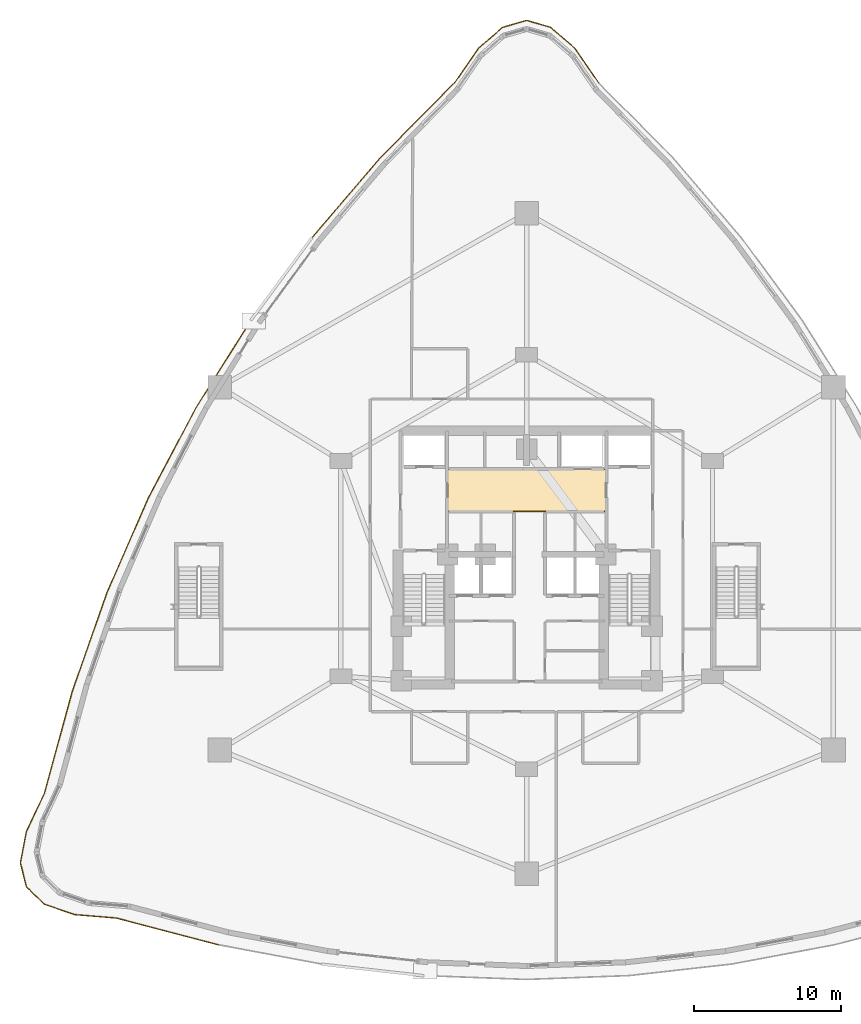
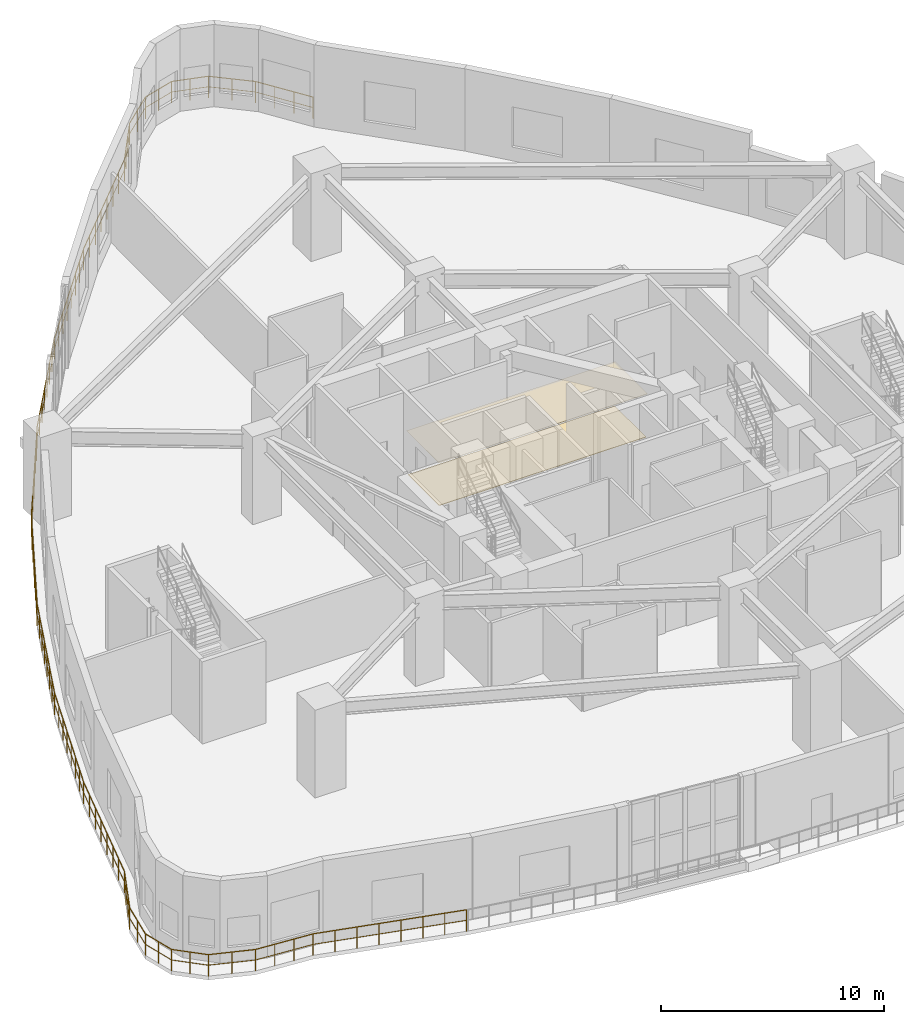
# One storey, part 23 of 23: 2 coverings, 1 railing.
"""IFC4 building model written with IfcOpenShell, lengths in metres."""

from ifc_helpers import new_model, si_unit, direction, frame, origin, origin_2d, place, context, subcontext, project, spatial, polyline, circle, outline, extrude, material, layer, layer_set, type_object, element, save


model = new_model("IFC4")

# Units and contexts
model_context = context("Model", 3, precision=1e-05, world=origin(), true_north=direction((0.0, 1.0)))
body_context = subcontext(model_context, "Body", "Model", "MODEL_VIEW")
ifc_project = project(units=[si_unit("LENGTHUNIT", "METRE"), si_unit("AREAUNIT", "SQUARE_METRE"), si_unit("VOLUMEUNIT", "CUBIC_METRE"), si_unit("PLANEANGLEUNIT", "RADIAN"), si_unit("MASSUNIT", "GRAM", prefix="KILO")], contexts=[model_context])

# Site, building, storey
site_placement = place(None, origin())
site = spatial("IfcSite", under=ifc_project, at=site_placement, CompositionType="ELEMENT")
building_placement = place(site_placement, origin())
building = spatial("IfcBuilding", under=site, at=building_placement, Name="Miruveldt Soraemaru", CompositionType="ELEMENT")
storey_placement = place(building_placement, frame((0.0, 0.0, 14.39990234375)))
storey = spatial("IfcBuildingStorey", under=building, at=storey_placement, Name="L04", CompositionType="ELEMENT", Elevation=14.39990234375)

# Coverings
ifc_material_1 = material(Name="Gypsum plasterboard lining", Category="gypsum")
ifc_layer_1 = layer(ifc_material_1, 0.02001953125, Name="Gypsum plasterboard lining", Category="gypsum")
ifc_layer_set_1 = layer_set([ifc_layer_1], Name="Gypsum plasterboard lining")
covering_type_1 = type_object("IfcCoveringType", Name="COV-CEIL-AC", PredefinedType="CEILING", material=ifc_layer_set_1)
covering_1_placement = place(storey_placement, frame((0.0, 0.0, 2.380126953125)))
element("IfcCovering", 1, at=covering_1_placement, inside=storey, type_object=covering_type_1, Name="L04 Lift Lobby Acoustic Ceiling", PredefinedType="CEILING", context=body_context, shape_type="SweptSolid", body=[
    extrude(outline(polyline([(38.60009765625, 46.949951171875), (49.39990234375, 46.949951171875), (49.39990234375, 49.85009765625), (38.60009765625, 49.85009765625), (38.60009765625, 46.949951171875)])), origin(), (0.0, 0.0, 1.0), 0.02001953125),
])
ifc_material_2 = material(Name="Precast concrete C45/55 (45 MPa)", Category="concrete")
ifc_layer_2 = layer(ifc_material_2, 0.02490234375, Name="Precast concrete C45/55 (45 MPa)", Category="concrete")
ifc_layer_set_2 = layer_set([ifc_layer_2], Name="Precast concrete C45/55 (45 MPa)")
covering_type_2 = type_object("IfcCoveringType", Name="COV-FLOR-ST", PredefinedType="FLOORING", material=ifc_layer_set_2)
covering_2_placement = place(storey_placement, origin())
element("IfcCovering", 2, at=covering_2_placement, inside=storey, type_object=covering_type_2, Name="L04 Lift Lobby Stone Flooring", PredefinedType="FLOORING", context=body_context, shape_type="SweptSolid", body=[
    extrude(outline(polyline([(38.64990234375, 47.0), (49.35009765625, 47.0), (49.35009765625, 49.800048828125), (38.64990234375, 49.800048828125), (38.64990234375, 47.0)])), origin(), (0.0, 0.0, 1.0), 0.025146484375),
])

# Railing
ifc_material_3 = material(Name="Anodised aluminium EN AW-6063 T6", Category="aluminium")
railing_type = type_object("IfcRailingType", Name="RAIL-GUARD-1200", PredefinedType="GUARDRAIL", material=ifc_material_3)
railing_placement = place(storey_placement, frame((48.885986328125, 76.037109375, 0.0)))
element("IfcRailing", 3, at=railing_placement, inside=storey, type_object=railing_type, Name="L04 Planted Terrace Perimeter Guardrail (A)", PredefinedType="GUARDRAIL", context=body_context, shape_type="SweptSolid", body=[
    extrude(circle(Radius=0.02392578125, at=origin_2d()), frame((0.0, 0.0, 1.17578125), z_axis=(-0.569525135144, 0.821973917128, 0.0), x_axis=(-0.821973917128, -0.569525135144, 0.0)), (0.0, 0.0, 1.0), 2.859619140625),
    extrude(circle(Radius=0.01611328125, at=origin_2d()), frame((0.0, 0.0, 0.60009765625), z_axis=(-0.569525135144, 0.821973917128, 0.0), x_axis=(-0.821973917128, -0.569525135144, 0.0)), (0.0, 0.0, 1.0), 2.859619140625),
    extrude(circle(Radius=0.02392578125, at=origin_2d()), frame((-1.628662109375, 2.3505859375, 1.17578125), z_axis=(-0.75588719591, 0.654701876475, 0.0), x_axis=(-0.654701876475, -0.75588719591, 0.0)), (0.0, 0.0, 1.0), 2.154541015625),
    extrude(circle(Radius=0.01611328125, at=origin_2d()), frame((-1.628662109375, 2.3505859375, 0.60009765625), z_axis=(-0.75588719591, 0.654701876475, 0.0), x_axis=(-0.654701876475, -0.75588719591, 0.0)), (0.0, 0.0, 1.0), 2.154541015625),
    extrude(circle(Radius=0.02392578125, at=origin_2d()), frame((-3.25732421875, 3.76123046875, 1.17578125), z_axis=(-0.960759397972, 0.277383091065, 0.0), x_axis=(-0.277383091065, -0.960759397972, 0.0)), (0.0, 0.0, 1.0), 1.695068359375),
    extrude(circle(Radius=0.01611328125, at=origin_2d()), frame((-3.25732421875, 3.76123046875, 0.60009765625), z_axis=(-0.960759397972, 0.277383091065, 0.0), x_axis=(-0.277383091065, -0.960759397972, 0.0)), (0.0, 0.0, 1.0), 1.695068359375),
    extrude(circle(Radius=0.02392578125, at=origin_2d()), frame((-4.885986328125, 4.2314453125, 1.17578125), z_axis=(-0.960759397972, -0.277383091065, 0.0), x_axis=(0.277383091065, -0.960759397972, 0.0)), (0.0, 0.0, 1.0), 1.695068359375),
    extrude(circle(Radius=0.01611328125, at=origin_2d()), frame((-4.885986328125, 4.2314453125, 0.60009765625), z_axis=(-0.960759397972, -0.277383091065, 0.0), x_axis=(0.277383091065, -0.960759397972, 0.0)), (0.0, 0.0, 1.0), 1.695068359375),
    extrude(circle(Radius=0.02392578125, at=origin_2d()), frame((-6.5146484375, 3.76123046875, 1.17578125), z_axis=(-0.75588719591, -0.654701876475, 0.0), x_axis=(0.654701876475, -0.75588719591, 0.0)), (0.0, 0.0, 1.0), 2.154541015625),
    extrude(circle(Radius=0.01611328125, at=origin_2d()), frame((-6.5146484375, 3.76123046875, 0.60009765625), z_axis=(-0.75588719591, -0.654701876475, 0.0), x_axis=(0.654701876475, -0.75588719591, 0.0)), (0.0, 0.0, 1.0), 2.154541015625),
    extrude(circle(Radius=0.02392578125, at=origin_2d()), frame((-8.143310546875, 2.3505859375, 1.17578125), z_axis=(-0.569525135144, -0.821973917128, 0.0), x_axis=(0.821973917128, -0.569525135144, 0.0)), (0.0, 0.0, 1.0), 2.859619140625),
    extrude(circle(Radius=0.01611328125, at=origin_2d()), frame((-8.143310546875, 2.3505859375, 0.60009765625), z_axis=(-0.569525135144, -0.821973917128, 0.0), x_axis=(0.821973917128, -0.569525135144, 0.0)), (0.0, 0.0, 1.0), 2.859619140625),
    extrude(circle(Radius=0.02392578125, at=origin_2d()), frame((-9.77197265625, 0.0, 1.17578125), z_axis=(-0.703514926702, -0.710680482289, 0.0), x_axis=(0.710680482289, -0.703514926702, 0.0)), (0.0, 0.0, 1.0), 7.18896484375),
    extrude(circle(Radius=0.01611328125, at=origin_2d()), frame((-9.77197265625, 0.0, 0.60009765625), z_axis=(-0.703514926702, -0.710680482289, 0.0), x_axis=(0.710680482289, -0.703514926702, 0.0)), (0.0, 0.0, 1.0), 7.18896484375),
    extrude(circle(Radius=0.02392578125, at=origin_2d()), frame((-14.82958984375, -5.109130859375, 1.17578125), z_axis=(-0.65103291117, -0.759049503375, 0.0), x_axis=(0.759049503375, -0.65103291117, 0.0)), (0.0, 0.0, 1.0), 7.074462890625),
    extrude(circle(Radius=0.01611328125, at=origin_2d()), frame((-14.82958984375, -5.109130859375, 0.60009765625), z_axis=(-0.65103291117, -0.759049503375, 0.0), x_axis=(0.759049503375, -0.65103291117, 0.0)), (0.0, 0.0, 1.0), 7.074462890625),
    extrude(circle(Radius=0.02392578125, at=origin_2d()), frame((-19.435302734375, -10.47900390625, 1.17578125), z_axis=(-0.593678581032, -0.804702269429, 0.0), x_axis=(0.804702269429, -0.593678581032, 0.0)), (0.0, 0.0, 1.0), 6.9970703125),
    extrude(circle(Radius=0.01611328125, at=origin_2d()), frame((-19.435302734375, -10.47900390625, 0.60009765625), z_axis=(-0.593678581032, -0.804702269429, 0.0), x_axis=(0.804702269429, -0.593678581032, 0.0)), (0.0, 0.0, 1.0), 6.9970703125),
    extrude(circle(Radius=0.02392578125, at=origin_2d()), frame((-23.58935546875, -16.109619140625, 1.17578125), z_axis=(-0.532078848531, -0.846694808621, 0.0), x_axis=(0.846694808621, -0.532078848531, 0.0)), (0.0, 0.0, 1.0), 6.958251953125),
    extrude(circle(Radius=0.01611328125, at=origin_2d()), frame((-23.58935546875, -16.109619140625, 0.60009765625), z_axis=(-0.532078848531, -0.846694808621, 0.0), x_axis=(0.846694808621, -0.532078848531, 0.0)), (0.0, 0.0, 1.0), 6.958251953125),
    extrude(circle(Radius=0.02392578125, at=origin_2d()), frame((-27.291748046875, -22.001220703125, 1.17578125), z_axis=(-0.467184692554, -0.88415974973, 0.0), x_axis=(0.88415974973, -0.467184692554, 0.0)), (0.0, 0.0, 1.0), 6.958251953125),
    extrude(circle(Radius=0.01611328125, at=origin_2d()), frame((-27.291748046875, -22.001220703125, 0.60009765625), z_axis=(-0.467184692554, -0.88415974973, 0.0), x_axis=(0.88415974973, -0.467184692554, 0.0)), (0.0, 0.0, 1.0), 6.958251953125),
    extrude(circle(Radius=0.02392578125, at=origin_2d()), frame((-30.54248046875, -28.1533203125, 1.17578125), z_axis=(-0.400062759218, -0.916487746065, 0.0), x_axis=(0.916487746065, -0.400062759218, 0.0)), (0.0, 0.0, 1.0), 6.997314453125),
    extrude(circle(Radius=0.01611328125, at=origin_2d()), frame((-30.54248046875, -28.1533203125, 0.60009765625), z_axis=(-0.400062759218, -0.916487746065, 0.0), x_axis=(0.916487746065, -0.400062759218, 0.0)), (0.0, 0.0, 1.0), 6.997314453125),
    extrude(circle(Radius=0.02392578125, at=origin_2d()), frame((-33.341796875, -34.566162109375, 1.17578125), z_axis=(-0.33184877494, -0.943332598064, 0.0), x_axis=(0.943332598064, -0.33184877494, 0.0)), (0.0, 0.0, 1.0), 7.074462890625),
    extrude(circle(Radius=0.01611328125, at=origin_2d()), frame((-33.341796875, -34.566162109375, 0.60009765625), z_axis=(-0.33184877494, -0.943332598064, 0.0), x_axis=(0.943332598064, -0.33184877494, 0.0)), (0.0, 0.0, 1.0), 7.074462890625),
    extrude(circle(Radius=0.02392578125, at=origin_2d()), frame((-35.689453125, -41.23974609375, 1.17578125), z_axis=(-0.263740926567, -0.964593553604, 0.0), x_axis=(0.964593553604, -0.263740926567, 0.0)), (0.0, 0.0, 1.0), 7.18896484375),
    extrude(circle(Radius=0.01611328125, at=origin_2d()), frame((-35.689453125, -41.23974609375, 0.60009765625), z_axis=(-0.263740926567, -0.964593553604, 0.0), x_axis=(0.964593553604, -0.263740926567, 0.0)), (0.0, 0.0, 1.0), 7.18896484375),
    extrude(circle(Radius=0.02392578125, at=origin_2d()), frame((-37.58544921875, -48.174072265625, 1.17578125), z_axis=(-0.427091616751, -0.904208355912, 0.0), x_axis=(0.904208355912, -0.427091616751, 0.0)), (0.0, 0.0, 1.0), 2.85986328125),
    extrude(circle(Radius=0.01611328125, at=origin_2d()), frame((-37.58544921875, -48.174072265625, 0.60009765625), z_axis=(-0.427091616751, -0.904208355912, 0.0), x_axis=(0.904208355912, -0.427091616751, 0.0)), (0.0, 0.0, 1.0), 2.85986328125),
    extrude(circle(Radius=0.02392578125, at=origin_2d()), frame((-38.806884765625, -50.760009765625, 1.17578125), z_axis=(-0.189007097064, -0.981975721319, 0.0), x_axis=(0.981975721319, -0.189007097064, 0.0)), (0.0, 0.0, 1.0), 2.154541015625),
    extrude(circle(Radius=0.01611328125, at=origin_2d()), frame((-38.806884765625, -50.760009765625, 0.60009765625), z_axis=(-0.189007097064, -0.981975721319, 0.0), x_axis=(0.981975721319, -0.189007097064, 0.0)), (0.0, 0.0, 1.0), 2.154541015625),
    extrude(circle(Radius=0.02392578125, at=origin_2d()), frame((-39.214111328125, -52.875732421875, 1.17578125), z_axis=(0.240230570858, -0.970715855864, 0.0), x_axis=(0.970715855864, 0.240230570858, 0.0)), (0.0, 0.0, 1.0), 1.695068359375),
    extrude(circle(Radius=0.01611328125, at=origin_2d()), frame((-39.214111328125, -52.875732421875, 0.60009765625), z_axis=(0.240230570858, -0.970715855864, 0.0), x_axis=(0.970715855864, 0.240230570858, 0.0)), (0.0, 0.0, 1.0), 1.695068359375),
    extrude(circle(Radius=0.02392578125, at=origin_2d()), frame((-38.806884765625, -54.521240234375, 1.17578125), z_axis=(0.720514735612, -0.693439626619, 0.0), x_axis=(0.693439626619, 0.720514735612, 0.0)), (0.0, 0.0, 1.0), 1.6953125),
    extrude(circle(Radius=0.01611328125, at=origin_2d()), frame((-38.806884765625, -54.521240234375, 0.60009765625), z_axis=(0.720514735612, -0.693439626619, 0.0), x_axis=(0.693439626619, 0.720514735612, 0.0)), (0.0, 0.0, 1.0), 1.6953125),
    extrude(circle(Radius=0.02392578125, at=origin_2d()), frame((-37.58544921875, -55.69677734375, 1.17578125), z_axis=(0.94490117058, -0.327355735916, 0.0), x_axis=(0.327355735916, 0.94490117058, 0.0)), (0.0, 0.0, 1.0), 2.154541015625),
    extrude(circle(Radius=0.01611328125, at=origin_2d()), frame((-37.58544921875, -55.69677734375, 0.60009765625), z_axis=(0.94490117058, -0.327355735916, 0.0), x_axis=(0.327355735916, 0.94490117058, 0.0)), (0.0, 0.0, 1.0), 2.154541015625),
    extrude(circle(Radius=0.02392578125, at=origin_2d()), frame((-35.549560546875, -56.402099609375, 1.17578125), z_axis=(0.99661546035, -0.082204769877, 0.0), x_axis=(0.082204769877, 0.99661546035, 0.0)), (0.0, 0.0, 1.0), 2.860107421875),
    extrude(circle(Radius=0.01611328125, at=origin_2d()), frame((-35.549560546875, -56.402099609375, 0.60009765625), z_axis=(0.99661546035, -0.082204769877, 0.0), x_axis=(0.082204769877, 0.99661546035, 0.0)), (0.0, 0.0, 1.0), 2.860107421875),
    extrude(circle(Radius=0.02392578125, at=origin_2d()), frame((-32.69921875, -56.63720703125, 1.17578125), z_axis=(0.96723968435, -0.253864910962, 0.0), x_axis=(0.253864910962, 0.96723968435, 0.0)), (0.0, 0.0, 1.0), 7.1337890625),
    extrude(circle(Radius=0.01611328125, at=origin_2d()), frame((-32.69921875, -56.63720703125, 0.60009765625), z_axis=(0.96723968435, -0.253864910962, 0.0), x_axis=(0.253864910962, 0.96723968435, 0.0)), (0.0, 0.0, 1.0), 7.1337890625),
    extrude(circle(Radius=0.02099609375, at=origin_2d()), origin(), (0.0, 0.0, 1.0), 1.15185546875),
    extrude(circle(Radius=0.02099609375, at=origin_2d()), frame((-0.54296875, 0.783447265625, 0.0)), (0.0, 0.0, 1.0), 1.15185546875),
    extrude(circle(Radius=0.02099609375, at=origin_2d()), frame((-1.085693359375, 1.567138671875, 0.0)), (0.0, 0.0, 1.0), 1.15185546875),
    extrude(circle(Radius=0.02099609375, at=origin_2d()), frame((-1.628662109375, 2.3505859375, 0.0)), (0.0, 0.0, 1.0), 1.15185546875),
    extrude(circle(Radius=0.02099609375, at=origin_2d()), frame((-2.44287109375, 3.055908203125, 0.0)), (0.0, 0.0, 1.0), 1.15185546875),
    extrude(circle(Radius=0.02099609375, at=origin_2d()), frame((-3.25732421875, 3.76123046875, 0.0)), (0.0, 0.0, 1.0), 1.15185546875),
    extrude(circle(Radius=0.02099609375, at=origin_2d()), frame((-4.07177734375, 3.996337890625, 0.0)), (0.0, 0.0, 1.0), 1.15185546875),
    extrude(circle(Radius=0.02099609375, at=origin_2d()), frame((-4.885986328125, 4.2314453125, 0.0)), (0.0, 0.0, 1.0), 1.15185546875),
    extrude(circle(Radius=0.02099609375, at=origin_2d()), frame((-5.7001953125, 3.996337890625, 0.0)), (0.0, 0.0, 1.0), 1.15185546875),
    extrude(circle(Radius=0.02099609375, at=origin_2d()), frame((-6.5146484375, 3.76123046875, 0.0)), (0.0, 0.0, 1.0), 1.15185546875),
    extrude(circle(Radius=0.02099609375, at=origin_2d()), frame((-7.3291015625, 3.055908203125, 0.0)), (0.0, 0.0, 1.0), 1.15185546875),
    extrude(circle(Radius=0.02099609375, at=origin_2d()), frame((-8.143310546875, 2.3505859375, 0.0)), (0.0, 0.0, 1.0), 1.15185546875),
    extrude(circle(Radius=0.02099609375, at=origin_2d()), frame((-8.686279296875, 1.567138671875, 0.0)), (0.0, 0.0, 1.0), 1.15185546875),
    extrude(circle(Radius=0.02099609375, at=origin_2d()), frame((-9.22900390625, 0.783447265625, 0.0)), (0.0, 0.0, 1.0), 1.15185546875),
    extrude(circle(Radius=0.02099609375, at=origin_2d()), frame((-9.77197265625, 0.0, 0.0)), (0.0, 0.0, 1.0), 1.15185546875),
    extrude(circle(Radius=0.02099609375, at=origin_2d()), frame((-10.494384765625, -0.72998046875, 0.0)), (0.0, 0.0, 1.0), 1.15185546875),
    extrude(circle(Radius=0.02099609375, at=origin_2d()), frame((-11.217041015625, -1.459716796875, 0.0)), (0.0, 0.0, 1.0), 1.15185546875),
    extrude(circle(Radius=0.02099609375, at=origin_2d()), frame((-11.939453125, -2.189697265625, 0.0)), (0.0, 0.0, 1.0), 1.15185546875),
    extrude(circle(Radius=0.02099609375, at=origin_2d()), frame((-12.662109375, -2.91943359375, 0.0)), (0.0, 0.0, 1.0), 1.15185546875),
    extrude(circle(Radius=0.02099609375, at=origin_2d()), frame((-13.384521484375, -3.6494140625, 0.0)), (0.0, 0.0, 1.0), 1.15185546875),
    extrude(circle(Radius=0.02099609375, at=origin_2d()), frame((-14.107177734375, -4.379150390625, 0.0)), (0.0, 0.0, 1.0), 1.15185546875),
    extrude(circle(Radius=0.02099609375, at=origin_2d()), frame((-14.82958984375, -5.109130859375, 0.0)), (0.0, 0.0, 1.0), 1.15185546875),
    extrude(circle(Radius=0.02099609375, at=origin_2d()), frame((-15.487548828125, -5.876220703125, 0.0)), (0.0, 0.0, 1.0), 1.15185546875),
    extrude(circle(Radius=0.02099609375, at=origin_2d()), frame((-16.1455078125, -6.643310546875, 0.0)), (0.0, 0.0, 1.0), 1.15185546875),
    extrude(circle(Radius=0.02099609375, at=origin_2d()), frame((-16.803466796875, -7.410400390625, 0.0)), (0.0, 0.0, 1.0), 1.15185546875),
    extrude(circle(Radius=0.02099609375, at=origin_2d()), frame((-17.46142578125, -8.177734375, 0.0)), (0.0, 0.0, 1.0), 1.15185546875),
    extrude(circle(Radius=0.02099609375, at=origin_2d()), frame((-18.119384765625, -8.94482421875, 0.0)), (0.0, 0.0, 1.0), 1.15185546875),
    extrude(circle(Radius=0.02099609375, at=origin_2d()), frame((-18.77734375, -9.7119140625, 0.0)), (0.0, 0.0, 1.0), 1.15185546875),
    extrude(circle(Radius=0.02099609375, at=origin_2d()), frame((-19.435302734375, -10.47900390625, 0.0)), (0.0, 0.0, 1.0), 1.15185546875),
    extrude(circle(Radius=0.02099609375, at=origin_2d()), frame((-20.02880859375, -11.283447265625, 0.0)), (0.0, 0.0, 1.0), 1.15185546875),
    extrude(circle(Radius=0.02099609375, at=origin_2d()), frame((-20.6220703125, -12.087646484375, 0.0)), (0.0, 0.0, 1.0), 1.15185546875),
    extrude(circle(Radius=0.02099609375, at=origin_2d()), frame((-21.215576171875, -12.89208984375, 0.0)), (0.0, 0.0, 1.0), 1.15185546875),
    extrude(circle(Radius=0.02099609375, at=origin_2d()), frame((-21.80908203125, -13.696533203125, 0.0)), (0.0, 0.0, 1.0), 1.15185546875),
    extrude(circle(Radius=0.02099609375, at=origin_2d()), frame((-22.402587890625, -14.5009765625, 0.0)), (0.0, 0.0, 1.0), 1.15185546875),
    extrude(circle(Radius=0.02099609375, at=origin_2d()), frame((-22.995849609375, -15.30517578125, 0.0)), (0.0, 0.0, 1.0), 1.15185546875),
    extrude(circle(Radius=0.02099609375, at=origin_2d()), frame((-23.58935546875, -16.109619140625, 0.0)), (0.0, 0.0, 1.0), 1.15185546875),
    extrude(circle(Radius=0.02099609375, at=origin_2d()), frame((-24.1181640625, -16.951171875, 0.0)), (0.0, 0.0, 1.0), 1.15185546875),
    extrude(circle(Radius=0.02099609375, at=origin_2d()), frame((-24.647216796875, -17.79296875, 0.0)), (0.0, 0.0, 1.0), 1.15185546875),
    extrude(circle(Radius=0.02099609375, at=origin_2d()), frame((-25.176025390625, -18.634521484375, 0.0)), (0.0, 0.0, 1.0), 1.15185546875),
    extrude(circle(Radius=0.02099609375, at=origin_2d()), frame((-25.705078125, -19.476318359375, 0.0)), (0.0, 0.0, 1.0), 1.15185546875),
    extrude(circle(Radius=0.02099609375, at=origin_2d()), frame((-26.23388671875, -20.31787109375, 0.0)), (0.0, 0.0, 1.0), 1.15185546875),
    extrude(circle(Radius=0.02099609375, at=origin_2d()), frame((-26.762939453125, -21.15966796875, 0.0)), (0.0, 0.0, 1.0), 1.15185546875),
    extrude(circle(Radius=0.02099609375, at=origin_2d()), frame((-27.291748046875, -22.001220703125, 0.0)), (0.0, 0.0, 1.0), 1.15185546875),
    extrude(circle(Radius=0.02099609375, at=origin_2d()), frame((-27.756103515625, -22.880126953125, 0.0)), (0.0, 0.0, 1.0), 1.15185546875),
    extrude(circle(Radius=0.02099609375, at=origin_2d()), frame((-28.220458984375, -23.759033203125, 0.0)), (0.0, 0.0, 1.0), 1.15185546875),
    extrude(circle(Radius=0.02099609375, at=origin_2d()), frame((-28.684814453125, -24.637939453125, 0.0)), (0.0, 0.0, 1.0), 1.15185546875),
    extrude(circle(Radius=0.02099609375, at=origin_2d()), frame((-29.1494140625, -25.5166015625, 0.0)), (0.0, 0.0, 1.0), 1.15185546875),
    extrude(circle(Radius=0.02099609375, at=origin_2d()), frame((-29.61376953125, -26.3955078125, 0.0)), (0.0, 0.0, 1.0), 1.15185546875),
    extrude(circle(Radius=0.02099609375, at=origin_2d()), frame((-30.078125, -27.2744140625, 0.0)), (0.0, 0.0, 1.0), 1.15185546875),
    extrude(circle(Radius=0.02099609375, at=origin_2d()), frame((-30.54248046875, -28.1533203125, 0.0)), (0.0, 0.0, 1.0), 1.15185546875),
    extrude(circle(Radius=0.02099609375, at=origin_2d()), frame((-30.9423828125, -29.0693359375, 0.0)), (0.0, 0.0, 1.0), 1.15185546875),
    extrude(circle(Radius=0.02099609375, at=origin_2d()), frame((-31.34228515625, -29.985595703125, 0.0)), (0.0, 0.0, 1.0), 1.15185546875),
    extrude(circle(Radius=0.02099609375, at=origin_2d()), frame((-31.7421875, -30.901611328125, 0.0)), (0.0, 0.0, 1.0), 1.15185546875),
    extrude(circle(Radius=0.02099609375, at=origin_2d()), frame((-32.14208984375, -31.81787109375, 0.0)), (0.0, 0.0, 1.0), 1.15185546875),
    extrude(circle(Radius=0.02099609375, at=origin_2d()), frame((-32.5419921875, -32.73388671875, 0.0)), (0.0, 0.0, 1.0), 1.15185546875),
    extrude(circle(Radius=0.02099609375, at=origin_2d()), frame((-32.94189453125, -33.650146484375, 0.0)), (0.0, 0.0, 1.0), 1.15185546875),
    extrude(circle(Radius=0.02099609375, at=origin_2d()), frame((-33.341796875, -34.566162109375, 0.0)), (0.0, 0.0, 1.0), 1.15185546875),
    extrude(circle(Radius=0.02099609375, at=origin_2d()), frame((-33.67724609375, -35.51953125, 0.0)), (0.0, 0.0, 1.0), 1.15185546875),
    extrude(circle(Radius=0.02099609375, at=origin_2d()), frame((-34.012451171875, -36.472900390625, 0.0)), (0.0, 0.0, 1.0), 1.15185546875),
    extrude(circle(Radius=0.02099609375, at=origin_2d()), frame((-34.347900390625, -37.42626953125, 0.0)), (0.0, 0.0, 1.0), 1.15185546875),
    extrude(circle(Radius=0.02099609375, at=origin_2d()), frame((-34.683349609375, -38.379638671875, 0.0)), (0.0, 0.0, 1.0), 1.15185546875),
    extrude(circle(Radius=0.02099609375, at=origin_2d()), frame((-35.018798828125, -39.3330078125, 0.0)), (0.0, 0.0, 1.0), 1.15185546875),
    extrude(circle(Radius=0.02099609375, at=origin_2d()), frame((-35.35400390625, -40.286376953125, 0.0)), (0.0, 0.0, 1.0), 1.15185546875),
    extrude(circle(Radius=0.02099609375, at=origin_2d()), frame((-35.689453125, -41.23974609375, 0.0)), (0.0, 0.0, 1.0), 1.15185546875),
    extrude(circle(Radius=0.02099609375, at=origin_2d()), frame((-35.960205078125, -42.23046875, 0.0)), (0.0, 0.0, 1.0), 1.15185546875),
    extrude(circle(Radius=0.02099609375, at=origin_2d()), frame((-36.231201171875, -43.220947265625, 0.0)), (0.0, 0.0, 1.0), 1.15185546875),
    extrude(circle(Radius=0.02099609375, at=origin_2d()), frame((-36.501953125, -44.211669921875, 0.0)), (0.0, 0.0, 1.0), 1.15185546875),
    extrude(circle(Radius=0.02099609375, at=origin_2d()), frame((-36.77294921875, -45.2021484375, 0.0)), (0.0, 0.0, 1.0), 1.15185546875),
    extrude(circle(Radius=0.02099609375, at=origin_2d()), frame((-37.043701171875, -46.19287109375, 0.0)), (0.0, 0.0, 1.0), 1.15185546875),
    extrude(circle(Radius=0.02099609375, at=origin_2d()), frame((-37.314697265625, -47.183349609375, 0.0)), (0.0, 0.0, 1.0), 1.15185546875),
    extrude(circle(Radius=0.02099609375, at=origin_2d()), frame((-37.58544921875, -48.174072265625, 0.0)), (0.0, 0.0, 1.0), 1.15185546875),
    extrude(circle(Radius=0.02099609375, at=origin_2d()), frame((-37.99267578125, -49.0361328125, 0.0)), (0.0, 0.0, 1.0), 1.15185546875),
    extrude(circle(Radius=0.02099609375, at=origin_2d()), frame((-38.399658203125, -49.89794921875, 0.0)), (0.0, 0.0, 1.0), 1.15185546875),
    extrude(circle(Radius=0.02099609375, at=origin_2d()), frame((-38.806884765625, -50.760009765625, 0.0)), (0.0, 0.0, 1.0), 1.15185546875),
    extrude(circle(Radius=0.02099609375, at=origin_2d()), frame((-39.010498046875, -51.81787109375, 0.0)), (0.0, 0.0, 1.0), 1.15185546875),
    extrude(circle(Radius=0.02099609375, at=origin_2d()), frame((-39.214111328125, -52.875732421875, 0.0)), (0.0, 0.0, 1.0), 1.15185546875),
    extrude(circle(Radius=0.02099609375, at=origin_2d()), frame((-39.010498046875, -53.698486328125, 0.0)), (0.0, 0.0, 1.0), 1.15185546875),
    extrude(circle(Radius=0.02099609375, at=origin_2d()), frame((-38.806884765625, -54.521240234375, 0.0)), (0.0, 0.0, 1.0), 1.15185546875),
    extrude(circle(Radius=0.02099609375, at=origin_2d()), frame((-38.1962890625, -55.10888671875, 0.0)), (0.0, 0.0, 1.0), 1.15185546875),
    extrude(circle(Radius=0.02099609375, at=origin_2d()), frame((-37.58544921875, -55.69677734375, 0.0)), (0.0, 0.0, 1.0), 1.15185546875),
    extrude(circle(Radius=0.02099609375, at=origin_2d()), frame((-36.5673828125, -56.04931640625, 0.0)), (0.0, 0.0, 1.0), 1.15185546875),
    extrude(circle(Radius=0.02099609375, at=origin_2d()), frame((-35.549560546875, -56.402099609375, 0.0)), (0.0, 0.0, 1.0), 1.15185546875),
    extrude(circle(Radius=0.02099609375, at=origin_2d()), frame((-34.599365234375, -56.48046875, 0.0)), (0.0, 0.0, 1.0), 1.15185546875),
    extrude(circle(Radius=0.02099609375, at=origin_2d()), frame((-33.6494140625, -56.558837890625, 0.0)), (0.0, 0.0, 1.0), 1.15185546875),
    extrude(circle(Radius=0.02099609375, at=origin_2d()), frame((-32.69921875, -56.63720703125, 0.0)), (0.0, 0.0, 1.0), 1.15185546875),
    extrude(circle(Radius=0.02099609375, at=origin_2d()), frame((-31.71337890625, -56.89599609375, 0.0)), (0.0, 0.0, 1.0), 1.15185546875),
    extrude(circle(Radius=0.02099609375, at=origin_2d()), frame((-30.727783203125, -57.154541015625, 0.0)), (0.0, 0.0, 1.0), 1.15185546875),
    extrude(circle(Radius=0.02099609375, at=origin_2d()), frame((-29.741943359375, -57.413330078125, 0.0)), (0.0, 0.0, 1.0), 1.15185546875),
    extrude(circle(Radius=0.02099609375, at=origin_2d()), frame((-28.75634765625, -57.672119140625, 0.0)), (0.0, 0.0, 1.0), 1.15185546875),
    extrude(circle(Radius=0.02099609375, at=origin_2d()), frame((-27.7705078125, -57.930908203125, 0.0)), (0.0, 0.0, 1.0), 1.15185546875),
    extrude(circle(Radius=0.02099609375, at=origin_2d()), frame((-26.784912109375, -58.189453125, 0.0)), (0.0, 0.0, 1.0), 1.15185546875),
    extrude(circle(Radius=0.02099609375, at=origin_2d()), frame((-25.799072265625, -58.4482421875, 0.0)), (0.0, 0.0, 1.0), 1.15185546875),
])

save(model, "model.ifc")
